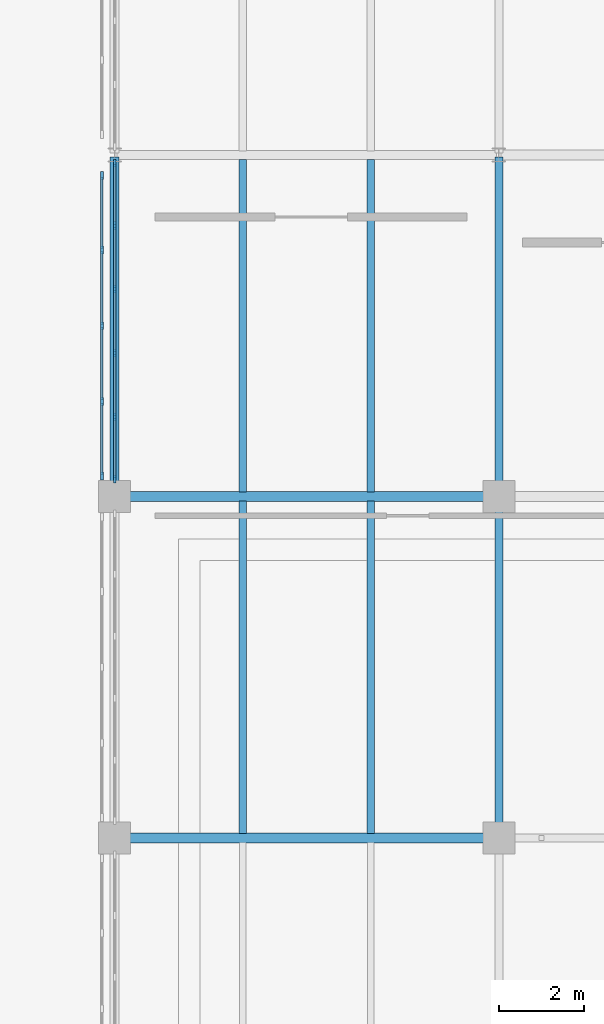
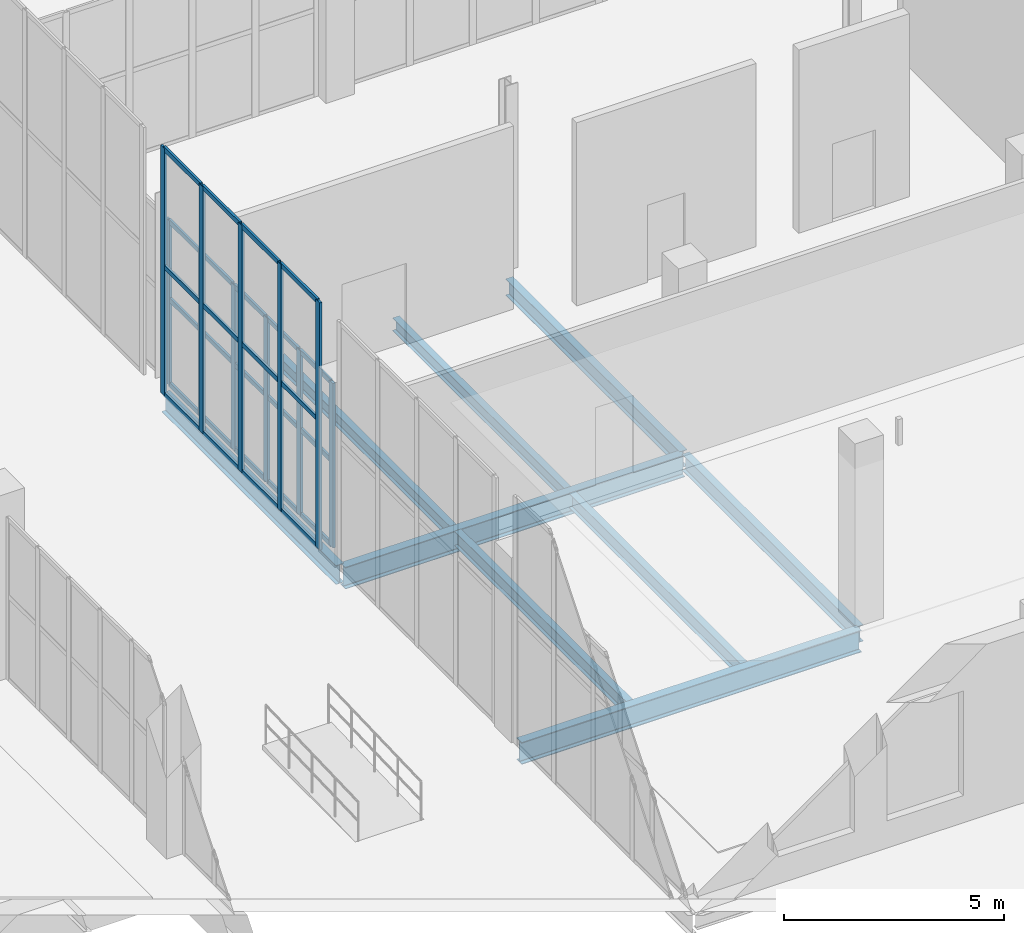
# One storey, part 42 of 103: 38 members, 9 beams, 2 elements without a shape of their own.
"""IFC4 building model written with IfcOpenShell, lengths in metres."""

from ifc_helpers import new_model, si_unit, direction, frame, origin, origin_2d, place, context, subcontext, project, spatial, rectangle, i_section, extrude, material, layer, layer_set, material_profile, profile_set, type_object, element, aggregate, save


model = new_model("IFC4")

# Units and contexts
model_context = context("Model", 3, precision=1e-05, world=origin(), true_north=direction((0.0, 1.0)))
body_context = subcontext(model_context, "Body", "Model", "MODEL_VIEW")
ifc_project = project(units=[si_unit("LENGTHUNIT", "METRE"), si_unit("AREAUNIT", "SQUARE_METRE"), si_unit("VOLUMEUNIT", "CUBIC_METRE"), si_unit("PLANEANGLEUNIT", "RADIAN"), si_unit("MASSUNIT", "GRAM", prefix="KILO")], contexts=[model_context])

# Site, building, storey
site_placement = place(None, origin())
site = spatial("IfcSite", under=ifc_project, at=site_placement, CompositionType="ELEMENT")
building_placement = place(site_placement, origin())
building = spatial("IfcBuilding", under=site, at=building_placement, Name="Marnock Terrace Opera House", CompositionType="ELEMENT")
storey_placement = place(building_placement, origin())
storey = spatial("IfcBuildingStorey", under=building, at=storey_placement, Name="L00", CompositionType="ELEMENT", Elevation=0.0)

# Beams
ifc_material_1 = material(Name="Steel Grade 350 (AS/NZS 3679.1)", Category="steel")
ifc_material_profile_1 = material_profile(ifc_material_1, i_section(OverallWidth=0.18994140625, OverallDepth=0.45751953125, WebThickness=0.009033203125, FlangeThickness=0.014404296875, FilletRadius=0.011474609375, at=origin_2d()))
ifc_profile_set_1 = profile_set([ifc_material_profile_1], Name="Steel Grade 350 (AS/NZS 3679.1)")
beam_type_1 = type_object("IfcBeamType", Name="BM-GIRD-460B", PredefinedType="BEAM", material=ifc_profile_set_1)
for number, where, z_axis, x_axis, name in (
    (1, (127.0, 16.050048828125, -0.52880859375), (0.0, 1.0, 0.0), (-1.0, 0.0, 0.0), "L00 girder (X=127.0, 16.0..24.0)"),
    (2, (127.0, 24.050048828125, -0.52880859375), (0.0, 1.0, 0.0), (-1.0, 0.0, 0.0), "L00 girder (X=127.0, 24.0..32.0)"),
):
    element("IfcBeam", number, at=place(storey_placement, frame(where, z_axis=z_axis, x_axis=x_axis)), inside=storey, type_object=beam_type_1, Name=name, PredefinedType="BEAM", context=body_context, shape_type="SweptSolid", body=[
        extrude(i_section(OverallWidth=0.18994140625, OverallDepth=0.45751953125, WebThickness=0.009033203125, FlangeThickness=0.014404296875, FilletRadius=0.011474609375, at=origin_2d()), origin(), (0.0, 0.0, 1.0), 7.89990234375),
    ])
ifc_material_profile_2 = material_profile(ifc_material_1, i_section(OverallWidth=0.208984375, OverallDepth=0.528076171875, WebThickness=0.009521484375, FlangeThickness=0.01318359375, FilletRadius=0.013916015625, at=origin_2d()))
ifc_profile_set_2 = profile_set([ifc_material_profile_2], Name="Steel Grade 350 (AS/NZS 3679.1)")
beam_type_2 = type_object("IfcBeamType", Name="BM-GIRD-530B", PredefinedType="BEAM", material=ifc_profile_set_2)
beam_1_placement = place(storey_placement, frame((118.0, 24.050048828125, -0.56396484375), z_axis=(0.0, 1.0, 0.0), x_axis=(-1.0, 0.0, 0.0)))
element("IfcBeam", 3, at=beam_1_placement, inside=storey, type_object=beam_type_2, Name="L00 girder (X=118.0, 24.0..32.0)", PredefinedType="BEAM", context=body_context, shape_type="SweptSolid", body=[
    extrude(i_section(OverallWidth=0.208984375, OverallDepth=0.528076171875, WebThickness=0.009521484375, FlangeThickness=0.01318359375, FilletRadius=0.013916015625, at=origin_2d()), origin(), (0.0, 0.0, 1.0), 7.89990234375),
])
ifc_material_profile_3 = material_profile(ifc_material_1, i_section(OverallWidth=0.22900390625, OverallDepth=0.611572265625, WebThickness=0.011962890625, FlangeThickness=0.01953125, FilletRadius=0.013916015625, at=origin_2d()))
ifc_profile_set_3 = profile_set([ifc_material_profile_3], Name="Steel Grade 350 (AS/NZS 3679.1)")
beam_type_3 = type_object("IfcBeamType", Name="BM-GIRD-610A", PredefinedType="BEAM", material=ifc_profile_set_3)
beam_2_placement = place(storey_placement, frame((118.050048828125, 16.0, -0.605712890625), z_axis=(1.0, 0.0, 0.0), x_axis=(0.0, 1.0, 0.0)))
element("IfcBeam", 4, at=beam_2_placement, inside=storey, type_object=beam_type_3, Name="L00 girder (118.0..127.0, Y=16.0)", PredefinedType="BEAM", context=body_context, shape_type="SweptSolid", body=[
    extrude(i_section(OverallWidth=0.22900390625, OverallDepth=0.611572265625, WebThickness=0.011962890625, FlangeThickness=0.01953125, FilletRadius=0.013916015625, at=origin_2d()), origin(), (0.0, 0.0, 1.0), 8.89990234375),
])
ifc_material_profile_4 = material_profile(ifc_material_1, i_section(OverallWidth=0.22802734375, OverallDepth=0.60693359375, WebThickness=0.01123046875, FlangeThickness=0.017333984375, FilletRadius=0.013916015625, at=origin_2d()))
ifc_profile_set_4 = profile_set([ifc_material_profile_4], Name="Steel Grade 350 (AS/NZS 3679.1)")
beam_type_4 = type_object("IfcBeamType", Name="BM-GIRD-610B", PredefinedType="BEAM", material=ifc_profile_set_4)
beam_3_placement = place(storey_placement, frame((118.050048828125, 24.0, -0.603515625), z_axis=(1.0, 0.0, 0.0), x_axis=(0.0, 1.0, 0.0)))
element("IfcBeam", 5, at=beam_3_placement, inside=storey, type_object=beam_type_4, Name="L00 girder (118.0..127.0, Y=24.0)", PredefinedType="BEAM", context=body_context, shape_type="SweptSolid", body=[
    extrude(i_section(OverallWidth=0.22802734375, OverallDepth=0.60693359375, WebThickness=0.01123046875, FlangeThickness=0.017333984375, FilletRadius=0.013916015625, at=origin_2d()), origin(), (0.0, 0.0, 1.0), 8.89990234375),
])
ifc_material_profile_5 = material_profile(ifc_material_1, i_section(OverallWidth=0.172119140625, OverallDepth=0.358642578125, WebThickness=0.008056640625, FlangeThickness=0.012939453125, FilletRadius=0.011474609375, at=origin_2d()))
ifc_profile_set_5 = profile_set([ifc_material_profile_5], Name="Steel Grade 350 (AS/NZS 3679.1)")
beam_type_5 = type_object("IfcBeamType", Name="BM-JOIST-360", PredefinedType="JOIST", material=ifc_profile_set_5)
for number, where, z_axis, x_axis, name in (
    (6, (121.0, 24.10888671875, -0.479248046875), (0.0, 1.0, 0.0), (-1.0, 0.0, 0.0), "L00 secondary joist 13.3.1"),
    (7, (124.0, 24.10888671875, -0.479248046875), (0.0, 1.0, 0.0), (-1.0, 0.0, 0.0), "L00 secondary joist 13.3.2"),
):
    element("IfcBeam", number, at=place(storey_placement, frame(where, z_axis=z_axis, x_axis=x_axis)), inside=storey, type_object=beam_type_5, Name=name, PredefinedType="JOIST", context=body_context, shape_type="SweptSolid", body=[
        extrude(i_section(OverallWidth=0.172119140625, OverallDepth=0.358642578125, WebThickness=0.008056640625, FlangeThickness=0.012939453125, FilletRadius=0.011474609375, at=origin_2d()), origin(), (0.0, 0.0, 1.0), 7.79150390625),
    ])
ifc_material_profile_6 = material_profile(ifc_material_1, i_section(OverallWidth=0.177978515625, OverallDepth=0.406494140625, WebThickness=0.0078125, FlangeThickness=0.0126953125, FilletRadius=0.011474609375, at=origin_2d()))
ifc_profile_set_6 = profile_set([ifc_material_profile_6], Name="Steel Grade 350 (AS/NZS 3679.1)")
beam_type_6 = type_object("IfcBeamType", Name="BM-JOIST-410", PredefinedType="JOIST", material=ifc_profile_set_6)
for number, where, z_axis, x_axis, name in (
    (8, (121.0, 16.109619140625, -0.503173828125), (0.0, 1.0, 0.0), (-1.0, 0.0, 0.0), "L00 secondary joist 13.2.1"),
    (9, (124.0, 16.109619140625, -0.503173828125), (0.0, 1.0, 0.0), (-1.0, 0.0, 0.0), "L00 secondary joist 13.2.2"),
):
    element("IfcBeam", number, at=place(storey_placement, frame(where, z_axis=z_axis, x_axis=x_axis)), inside=storey, type_object=beam_type_6, Name=name, PredefinedType="JOIST", context=body_context, shape_type="SweptSolid", body=[
        extrude(i_section(OverallWidth=0.177978515625, OverallDepth=0.406494140625, WebThickness=0.0078125, FlangeThickness=0.0126953125, FilletRadius=0.011474609375, at=origin_2d()), origin(), (0.0, 0.0, 1.0), 7.781494140625),
    ])

# Curtain wall, members
ifc_material_2 = material(Name="Anodised architectural bronze aluminium framing", Category="aluminium")
ifc_layer_1 = layer(ifc_material_2, 0.159912109375)
ifc_layer_set_1 = layer_set([ifc_layer_1], Name="Anodised architectural bronze aluminium framing")
curtain_wall_type_1 = type_object("IfcCurtainWallType", Name="CW-LOGGIA-86x51", PredefinedType="NOTDEFINED", material=ifc_layer_set_1)
curtain_wall_1_placement = place(storey_placement, origin())
curtain_wall_1 = element("IfcCurtainWall", 10, at=curtain_wall_1_placement, inside=storey, type_object=curtain_wall_type_1, Name="L00 glazed Beaux-Arts colonnade curtain wall CW-V5-L00-W3", PredefinedType="NOTDEFINED")
ifc_material_profile_7 = material_profile(ifc_material_2, rectangle(XDim=0.06494140625, YDim=0.179931640625, at=origin_2d()))
ifc_profile_set_7 = profile_set([ifc_material_profile_7], Name="Anodised architectural bronze aluminium framing")
member_type_1 = type_object("IfcMemberType", Name="CWM-65x180", PredefinedType="MULLION", material=ifc_profile_set_7)
member_1_placement = place(storey_placement, frame((118.0, 24.40087890625, 0.0), z_axis=(0.0, 0.0, 1.0), x_axis=(-1.0, 0.0, 0.0)))
member_1 = element("IfcMember", 11, at=member_1_placement, type_object=member_type_1, Name="CW-96 mullion 1", PredefinedType="MULLION", context=body_context, shape_type="SweptSolid", body=[
    extrude(rectangle(XDim=0.06494140625, YDim=0.179931640625, at=origin_2d()), origin(), (0.0, 0.0, 1.0), 4.56201171875),
])
member_2_placement = place(storey_placement, frame((118.0, 25.864990234375, 0.0), z_axis=(0.0, 0.0, 1.0), x_axis=(-1.0, 0.0, 0.0)))
member_2 = element("IfcMember", 12, at=member_2_placement, type_object=member_type_1, Name="CW-96 mullion 2", PredefinedType="MULLION", context=body_context, shape_type="SweptSolid", body=[
    extrude(rectangle(XDim=0.06494140625, YDim=0.179931640625, at=origin_2d()), origin(), (0.0, 0.0, 1.0), 4.56201171875),
])
member_3_placement = place(storey_placement, frame((118.0, 27.358642578125, 0.0), z_axis=(0.0, 0.0, 1.0), x_axis=(-1.0, 0.0, 0.0)))
member_3 = element("IfcMember", 13, at=member_3_placement, type_object=member_type_1, Name="CW-96 mullion 3", PredefinedType="MULLION", context=body_context, shape_type="SweptSolid", body=[
    extrude(rectangle(XDim=0.06494140625, YDim=0.179931640625, at=origin_2d()), origin(), (0.0, 0.0, 1.0), 4.56201171875),
])
member_4_placement = place(storey_placement, frame((118.0, 28.8525390625, 0.0), z_axis=(0.0, 0.0, 1.0), x_axis=(-1.0, 0.0, 0.0)))
member_4 = element("IfcMember", 14, at=member_4_placement, type_object=member_type_1, Name="CW-96 mullion 4", PredefinedType="MULLION", context=body_context, shape_type="SweptSolid", body=[
    extrude(rectangle(XDim=0.06494140625, YDim=0.179931640625, at=origin_2d()), origin(), (0.0, 0.0, 1.0), 4.56201171875),
])
member_5_placement = place(storey_placement, frame((118.0, 30.346435546875, 0.0), z_axis=(0.0, 0.0, 1.0), x_axis=(-1.0, 0.0, 0.0)))
member_5 = element("IfcMember", 15, at=member_5_placement, type_object=member_type_1, Name="CW-96 mullion 5", PredefinedType="MULLION", context=body_context, shape_type="SweptSolid", body=[
    extrude(rectangle(XDim=0.06494140625, YDim=0.179931640625, at=origin_2d()), origin(), (0.0, 0.0, 1.0), 4.56201171875),
])
member_6_placement = place(storey_placement, frame((118.0, 31.810302734375, 0.0), z_axis=(0.0, 0.0, 1.0), x_axis=(-1.0, 0.0, 0.0)))
member_6 = element("IfcMember", 16, at=member_6_placement, type_object=member_type_1, Name="CW-96 mullion 6", PredefinedType="MULLION", context=body_context, shape_type="SweptSolid", body=[
    extrude(rectangle(XDim=0.06494140625, YDim=0.179931640625, at=origin_2d()), origin(), (0.0, 0.0, 1.0), 4.56201171875),
])

ifc_layer_2 = layer(ifc_material_2, 0.159912109375)
ifc_layer_set_2 = layer_set([ifc_layer_2], Name="Anodised architectural bronze aluminium framing")
curtain_wall_type_2 = type_object("IfcCurtainWallType", Name="CW-PASSAGE-71x68", PredefinedType="NOTDEFINED", material=ifc_layer_set_2)
curtain_wall_2_placement = place(storey_placement, origin())
curtain_wall_2 = element("IfcCurtainWall", 17, at=curtain_wall_2_placement, inside=storey, type_object=curtain_wall_type_2, Name="L00 glazed Beaux-Arts colonnade curtain wall CW-PASSAGE-L00-03", PredefinedType="NOTDEFINED")
member_7_placement = place(storey_placement, frame((117.699951171875, 24.47998046875, 0.0), z_axis=(0.0, 0.0, 1.0), x_axis=(-1.0, 0.0, 0.0)))
member_7 = element("IfcMember", 18, at=member_7_placement, type_object=member_type_1, Name="CW-33 mullion 1", PredefinedType="MULLION", context=body_context, shape_type="SweptSolid", body=[
    extrude(rectangle(XDim=0.06494140625, YDim=0.179931640625, at=origin_2d()), origin(), (0.0, 0.0, 1.0), 6.85009765625),
])
member_8_placement = place(storey_placement, frame((117.699951171875, 26.22509765625, 0.0), z_axis=(0.0, 0.0, 1.0), x_axis=(-1.0, 0.0, 0.0)))
member_8 = element("IfcMember", 19, at=member_8_placement, type_object=member_type_1, Name="CW-33 mullion 2", PredefinedType="MULLION", context=body_context, shape_type="SweptSolid", body=[
    extrude(rectangle(XDim=0.06494140625, YDim=0.179931640625, at=origin_2d()), origin(), (0.0, 0.0, 1.0), 6.85009765625),
])
member_9_placement = place(storey_placement, frame((117.699951171875, 28.0, 0.0), z_axis=(0.0, 0.0, 1.0), x_axis=(-1.0, 0.0, 0.0)))
member_9 = element("IfcMember", 20, at=member_9_placement, type_object=member_type_1, Name="CW-33 mullion 3", PredefinedType="MULLION", context=body_context, shape_type="SweptSolid", body=[
    extrude(rectangle(XDim=0.06494140625, YDim=0.179931640625, at=origin_2d()), origin(), (0.0, 0.0, 1.0), 6.85009765625),
])
member_10_placement = place(storey_placement, frame((117.699951171875, 29.77490234375, 0.0), z_axis=(0.0, 0.0, 1.0), x_axis=(-1.0, 0.0, 0.0)))
member_10 = element("IfcMember", 21, at=member_10_placement, type_object=member_type_1, Name="CW-33 mullion 4", PredefinedType="MULLION", context=body_context, shape_type="SweptSolid", body=[
    extrude(rectangle(XDim=0.06494140625, YDim=0.179931640625, at=origin_2d()), origin(), (0.0, 0.0, 1.0), 6.85009765625),
])
member_11_placement = place(storey_placement, frame((117.699951171875, 31.52001953125, 0.0), z_axis=(0.0, 0.0, 1.0), x_axis=(-1.0, 0.0, 0.0)))
member_11 = element("IfcMember", 22, at=member_11_placement, type_object=member_type_1, Name="CW-33 mullion 5", PredefinedType="MULLION", context=body_context, shape_type="SweptSolid", body=[
    extrude(rectangle(XDim=0.06494140625, YDim=0.179931640625, at=origin_2d()), origin(), (0.0, 0.0, 1.0), 6.85009765625),
])

# Member
ifc_material_profile_8 = material_profile(ifc_material_2, rectangle(XDim=0.06005859375, YDim=0.1298828125, at=origin_2d()))
ifc_profile_set_8 = profile_set([ifc_material_profile_8], Name="Anodised architectural bronze aluminium framing")
member_type_2 = type_object("IfcMemberType", Name="CWT-60x130", PredefinedType="USERDEFINED", material=ifc_profile_set_8)
member_12_placement = place(storey_placement, frame((118.0, 24.430908203125, 0.030029296875), z_axis=(0.0, 1.0, 0.0), x_axis=(-1.0, 0.0, 0.0)))
member_12 = element("IfcMember", 23, at=member_12_placement, type_object=member_type_2, Name="CW-96 transom 1.1", ObjectType="TRANSOM", PredefinedType="USERDEFINED", context=body_context, shape_type="SweptSolid", body=[
    extrude(rectangle(XDim=0.06005859375, YDim=0.1298828125, at=origin_2d()), origin(), (0.0, 0.0, 1.0), 1.404052734375),
])

member_13_placement = place(storey_placement, frame((118.0, 24.430908203125, 2.372314453125), z_axis=(0.0, 1.0, 0.0), x_axis=(-1.0, 0.0, 0.0)))
member_13 = element("IfcMember", 24, at=member_13_placement, type_object=member_type_2, Name="CW-96 transom 1.2", ObjectType="TRANSOM", PredefinedType="USERDEFINED", context=body_context, shape_type="SweptSolid", body=[
    extrude(rectangle(XDim=0.06005859375, YDim=0.1298828125, at=origin_2d()), origin(), (0.0, 0.0, 1.0), 1.404052734375),
])

member_14_placement = place(storey_placement, frame((118.0, 24.430908203125, 4.531982421875), z_axis=(0.0, 1.0, 0.0), x_axis=(-1.0, 0.0, 0.0)))
member_14 = element("IfcMember", 25, at=member_14_placement, type_object=member_type_2, Name="CW-96 transom 1.3", ObjectType="TRANSOM", PredefinedType="USERDEFINED", context=body_context, shape_type="SweptSolid", body=[
    extrude(rectangle(XDim=0.06005859375, YDim=0.1298828125, at=origin_2d()), origin(), (0.0, 0.0, 1.0), 1.404052734375),
])

member_15_placement = place(storey_placement, frame((118.0, 25.894775390625, 0.030029296875), z_axis=(0.0, 1.0, 0.0), x_axis=(-1.0, 0.0, 0.0)))
member_15 = element("IfcMember", 26, at=member_15_placement, type_object=member_type_2, Name="CW-96 transom 2.1", ObjectType="TRANSOM", PredefinedType="USERDEFINED", context=body_context, shape_type="SweptSolid", body=[
    extrude(rectangle(XDim=0.06005859375, YDim=0.1298828125, at=origin_2d()), origin(), (0.0, 0.0, 1.0), 1.43408203125),
])

member_16_placement = place(storey_placement, frame((118.0, 25.894775390625, 2.372314453125), z_axis=(0.0, 1.0, 0.0), x_axis=(-1.0, 0.0, 0.0)))
member_16 = element("IfcMember", 27, at=member_16_placement, type_object=member_type_2, Name="CW-96 transom 2.2", ObjectType="TRANSOM", PredefinedType="USERDEFINED", context=body_context, shape_type="SweptSolid", body=[
    extrude(rectangle(XDim=0.06005859375, YDim=0.1298828125, at=origin_2d()), origin(), (0.0, 0.0, 1.0), 1.43408203125),
])

member_17_placement = place(storey_placement, frame((118.0, 25.894775390625, 4.531982421875), z_axis=(0.0, 1.0, 0.0), x_axis=(-1.0, 0.0, 0.0)))
member_17 = element("IfcMember", 28, at=member_17_placement, type_object=member_type_2, Name="CW-96 transom 2.3", ObjectType="TRANSOM", PredefinedType="USERDEFINED", context=body_context, shape_type="SweptSolid", body=[
    extrude(rectangle(XDim=0.06005859375, YDim=0.1298828125, at=origin_2d()), origin(), (0.0, 0.0, 1.0), 1.43408203125),
])

member_18_placement = place(storey_placement, frame((118.0, 27.388671875, 0.030029296875), z_axis=(0.0, 1.0, 0.0), x_axis=(-1.0, 0.0, 0.0)))
member_18 = element("IfcMember", 29, at=member_18_placement, type_object=member_type_2, Name="CW-96 transom 3.1", ObjectType="TRANSOM", PredefinedType="USERDEFINED", context=body_context, shape_type="SweptSolid", body=[
    extrude(rectangle(XDim=0.06005859375, YDim=0.1298828125, at=origin_2d()), origin(), (0.0, 0.0, 1.0), 1.43408203125),
])

member_19_placement = place(storey_placement, frame((118.0, 27.388671875, 2.372314453125), z_axis=(0.0, 1.0, 0.0), x_axis=(-1.0, 0.0, 0.0)))
member_19 = element("IfcMember", 30, at=member_19_placement, type_object=member_type_2, Name="CW-96 transom 3.2", ObjectType="TRANSOM", PredefinedType="USERDEFINED", context=body_context, shape_type="SweptSolid", body=[
    extrude(rectangle(XDim=0.06005859375, YDim=0.1298828125, at=origin_2d()), origin(), (0.0, 0.0, 1.0), 1.43408203125),
])

member_20_placement = place(storey_placement, frame((118.0, 27.388671875, 4.531982421875), z_axis=(0.0, 1.0, 0.0), x_axis=(-1.0, 0.0, 0.0)))
member_20 = element("IfcMember", 31, at=member_20_placement, type_object=member_type_2, Name="CW-96 transom 3.3", ObjectType="TRANSOM", PredefinedType="USERDEFINED", context=body_context, shape_type="SweptSolid", body=[
    extrude(rectangle(XDim=0.06005859375, YDim=0.1298828125, at=origin_2d()), origin(), (0.0, 0.0, 1.0), 1.43408203125),
])

member_21_placement = place(storey_placement, frame((118.0, 28.882568359375, 0.030029296875), z_axis=(0.0, 1.0, 0.0), x_axis=(-1.0, 0.0, 0.0)))
member_21 = element("IfcMember", 32, at=member_21_placement, type_object=member_type_2, Name="CW-96 transom 4.1", ObjectType="TRANSOM", PredefinedType="USERDEFINED", context=body_context, shape_type="SweptSolid", body=[
    extrude(rectangle(XDim=0.06005859375, YDim=0.1298828125, at=origin_2d()), origin(), (0.0, 0.0, 1.0), 1.433837890625),
])

member_22_placement = place(storey_placement, frame((118.0, 28.882568359375, 2.372314453125), z_axis=(0.0, 1.0, 0.0), x_axis=(-1.0, 0.0, 0.0)))
member_22 = element("IfcMember", 33, at=member_22_placement, type_object=member_type_2, Name="CW-96 transom 4.2", ObjectType="TRANSOM", PredefinedType="USERDEFINED", context=body_context, shape_type="SweptSolid", body=[
    extrude(rectangle(XDim=0.06005859375, YDim=0.1298828125, at=origin_2d()), origin(), (0.0, 0.0, 1.0), 1.433837890625),
])

member_23_placement = place(storey_placement, frame((118.0, 28.882568359375, 4.531982421875), z_axis=(0.0, 1.0, 0.0), x_axis=(-1.0, 0.0, 0.0)))
member_23 = element("IfcMember", 34, at=member_23_placement, type_object=member_type_2, Name="CW-96 transom 4.3", ObjectType="TRANSOM", PredefinedType="USERDEFINED", context=body_context, shape_type="SweptSolid", body=[
    extrude(rectangle(XDim=0.06005859375, YDim=0.1298828125, at=origin_2d()), origin(), (0.0, 0.0, 1.0), 1.433837890625),
])

member_24_placement = place(storey_placement, frame((118.0, 30.37646484375, 0.030029296875), z_axis=(0.0, 1.0, 0.0), x_axis=(-1.0, 0.0, 0.0)))
member_24 = element("IfcMember", 35, at=member_24_placement, type_object=member_type_2, Name="CW-96 transom 5.1", ObjectType="TRANSOM", PredefinedType="USERDEFINED", context=body_context, shape_type="SweptSolid", body=[
    extrude(rectangle(XDim=0.06005859375, YDim=0.1298828125, at=origin_2d()), origin(), (0.0, 0.0, 1.0), 1.404052734375),
])

member_25_placement = place(storey_placement, frame((118.0, 30.37646484375, 2.372314453125), z_axis=(0.0, 1.0, 0.0), x_axis=(-1.0, 0.0, 0.0)))
member_25 = element("IfcMember", 36, at=member_25_placement, type_object=member_type_2, Name="CW-96 transom 5.2", ObjectType="TRANSOM", PredefinedType="USERDEFINED", context=body_context, shape_type="SweptSolid", body=[
    extrude(rectangle(XDim=0.06005859375, YDim=0.1298828125, at=origin_2d()), origin(), (0.0, 0.0, 1.0), 1.404052734375),
])

member_26_placement = place(storey_placement, frame((118.0, 30.37646484375, 4.531982421875), z_axis=(0.0, 1.0, 0.0), x_axis=(-1.0, 0.0, 0.0)))
member_26 = element("IfcMember", 37, at=member_26_placement, type_object=member_type_2, Name="CW-96 transom 5.3", ObjectType="TRANSOM", PredefinedType="USERDEFINED", context=body_context, shape_type="SweptSolid", body=[
    extrude(rectangle(XDim=0.06005859375, YDim=0.1298828125, at=origin_2d()), origin(), (0.0, 0.0, 1.0), 1.404052734375),
])

aggregate(curtain_wall_1, [member_1, member_2, member_3, member_4, member_5, member_6, member_12, member_13, member_14, member_15, member_16, member_17, member_18, member_19, member_20, member_21, member_22, member_23, member_24, member_25, member_26])

member_27_placement = place(storey_placement, frame((117.699951171875, 24.510009765625, 0.030029296875), z_axis=(0.0, 1.0, 0.0), x_axis=(-1.0, 0.0, 0.0)))
member_27 = element("IfcMember", 38, at=member_27_placement, type_object=member_type_2, Name="CW-33 transom 1.1", ObjectType="TRANSOM", PredefinedType="USERDEFINED", context=body_context, shape_type="SweptSolid", body=[
    extrude(rectangle(XDim=0.06005859375, YDim=0.1298828125, at=origin_2d()), origin(), (0.0, 0.0, 1.0), 1.68505859375),
])

member_28_placement = place(storey_placement, frame((117.699951171875, 24.510009765625, 3.56201171875), z_axis=(0.0, 1.0, 0.0), x_axis=(-1.0, 0.0, 0.0)))
member_28 = element("IfcMember", 39, at=member_28_placement, type_object=member_type_2, Name="CW-33 transom 1.2", ObjectType="TRANSOM", PredefinedType="USERDEFINED", context=body_context, shape_type="SweptSolid", body=[
    extrude(rectangle(XDim=0.06005859375, YDim=0.1298828125, at=origin_2d()), origin(), (0.0, 0.0, 1.0), 1.68505859375),
])

member_29_placement = place(storey_placement, frame((117.699951171875, 24.510009765625, 6.820068359375), z_axis=(0.0, 1.0, 0.0), x_axis=(-1.0, 0.0, 0.0)))
member_29 = element("IfcMember", 40, at=member_29_placement, type_object=member_type_2, Name="CW-33 transom 1.3", ObjectType="TRANSOM", PredefinedType="USERDEFINED", context=body_context, shape_type="SweptSolid", body=[
    extrude(rectangle(XDim=0.06005859375, YDim=0.1298828125, at=origin_2d()), origin(), (0.0, 0.0, 1.0), 1.68505859375),
])

member_30_placement = place(storey_placement, frame((117.699951171875, 26.2548828125, 0.030029296875), z_axis=(0.0, 1.0, 0.0), x_axis=(-1.0, 0.0, 0.0)))
member_30 = element("IfcMember", 41, at=member_30_placement, type_object=member_type_2, Name="CW-33 transom 2.1", ObjectType="TRANSOM", PredefinedType="USERDEFINED", context=body_context, shape_type="SweptSolid", body=[
    extrude(rectangle(XDim=0.06005859375, YDim=0.1298828125, at=origin_2d()), origin(), (0.0, 0.0, 1.0), 1.715087890625),
])

member_31_placement = place(storey_placement, frame((117.699951171875, 26.2548828125, 3.56201171875), z_axis=(0.0, 1.0, 0.0), x_axis=(-1.0, 0.0, 0.0)))
member_31 = element("IfcMember", 42, at=member_31_placement, type_object=member_type_2, Name="CW-33 transom 2.2", ObjectType="TRANSOM", PredefinedType="USERDEFINED", context=body_context, shape_type="SweptSolid", body=[
    extrude(rectangle(XDim=0.06005859375, YDim=0.1298828125, at=origin_2d()), origin(), (0.0, 0.0, 1.0), 1.715087890625),
])

member_32_placement = place(storey_placement, frame((117.699951171875, 26.2548828125, 6.820068359375), z_axis=(0.0, 1.0, 0.0), x_axis=(-1.0, 0.0, 0.0)))
member_32 = element("IfcMember", 43, at=member_32_placement, type_object=member_type_2, Name="CW-33 transom 2.3", ObjectType="TRANSOM", PredefinedType="USERDEFINED", context=body_context, shape_type="SweptSolid", body=[
    extrude(rectangle(XDim=0.06005859375, YDim=0.1298828125, at=origin_2d()), origin(), (0.0, 0.0, 1.0), 1.715087890625),
])

member_33_placement = place(storey_placement, frame((117.699951171875, 28.030029296875, 0.030029296875), z_axis=(0.0, 1.0, 0.0), x_axis=(-1.0, 0.0, 0.0)))
member_33 = element("IfcMember", 44, at=member_33_placement, type_object=member_type_2, Name="CW-33 transom 3.1", ObjectType="TRANSOM", PredefinedType="USERDEFINED", context=body_context, shape_type="SweptSolid", body=[
    extrude(rectangle(XDim=0.06005859375, YDim=0.1298828125, at=origin_2d()), origin(), (0.0, 0.0, 1.0), 1.715087890625),
])

member_34_placement = place(storey_placement, frame((117.699951171875, 28.030029296875, 3.56201171875), z_axis=(0.0, 1.0, 0.0), x_axis=(-1.0, 0.0, 0.0)))
member_34 = element("IfcMember", 45, at=member_34_placement, type_object=member_type_2, Name="CW-33 transom 3.2", ObjectType="TRANSOM", PredefinedType="USERDEFINED", context=body_context, shape_type="SweptSolid", body=[
    extrude(rectangle(XDim=0.06005859375, YDim=0.1298828125, at=origin_2d()), origin(), (0.0, 0.0, 1.0), 1.715087890625),
])

member_35_placement = place(storey_placement, frame((117.699951171875, 28.030029296875, 6.820068359375), z_axis=(0.0, 1.0, 0.0), x_axis=(-1.0, 0.0, 0.0)))
member_35 = element("IfcMember", 46, at=member_35_placement, type_object=member_type_2, Name="CW-33 transom 3.3", ObjectType="TRANSOM", PredefinedType="USERDEFINED", context=body_context, shape_type="SweptSolid", body=[
    extrude(rectangle(XDim=0.06005859375, YDim=0.1298828125, at=origin_2d()), origin(), (0.0, 0.0, 1.0), 1.715087890625),
])

member_36_placement = place(storey_placement, frame((117.699951171875, 29.804931640625, 0.030029296875), z_axis=(0.0, 1.0, 0.0), x_axis=(-1.0, 0.0, 0.0)))
member_36 = element("IfcMember", 47, at=member_36_placement, type_object=member_type_2, Name="CW-33 transom 4.1", ObjectType="TRANSOM", PredefinedType="USERDEFINED", context=body_context, shape_type="SweptSolid", body=[
    extrude(rectangle(XDim=0.06005859375, YDim=0.1298828125, at=origin_2d()), origin(), (0.0, 0.0, 1.0), 1.68505859375),
])

member_37_placement = place(storey_placement, frame((117.699951171875, 29.804931640625, 3.56201171875), z_axis=(0.0, 1.0, 0.0), x_axis=(-1.0, 0.0, 0.0)))
member_37 = element("IfcMember", 48, at=member_37_placement, type_object=member_type_2, Name="CW-33 transom 4.2", ObjectType="TRANSOM", PredefinedType="USERDEFINED", context=body_context, shape_type="SweptSolid", body=[
    extrude(rectangle(XDim=0.06005859375, YDim=0.1298828125, at=origin_2d()), origin(), (0.0, 0.0, 1.0), 1.68505859375),
])

member_38_placement = place(storey_placement, frame((117.699951171875, 29.804931640625, 6.820068359375), z_axis=(0.0, 1.0, 0.0), x_axis=(-1.0, 0.0, 0.0)))
member_38 = element("IfcMember", 49, at=member_38_placement, type_object=member_type_2, Name="CW-33 transom 4.3", ObjectType="TRANSOM", PredefinedType="USERDEFINED", context=body_context, shape_type="SweptSolid", body=[
    extrude(rectangle(XDim=0.06005859375, YDim=0.1298828125, at=origin_2d()), origin(), (0.0, 0.0, 1.0), 1.68505859375),
])

aggregate(curtain_wall_2, [member_7, member_8, member_9, member_10, member_11, member_27, member_28, member_29, member_30, member_31, member_32, member_33, member_34, member_35, member_36, member_37, member_38])

save(model, "model.ifc")
